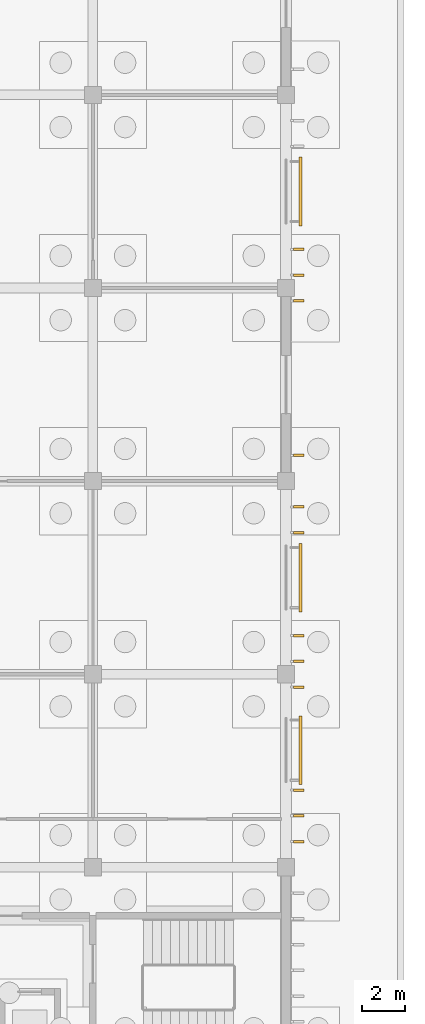
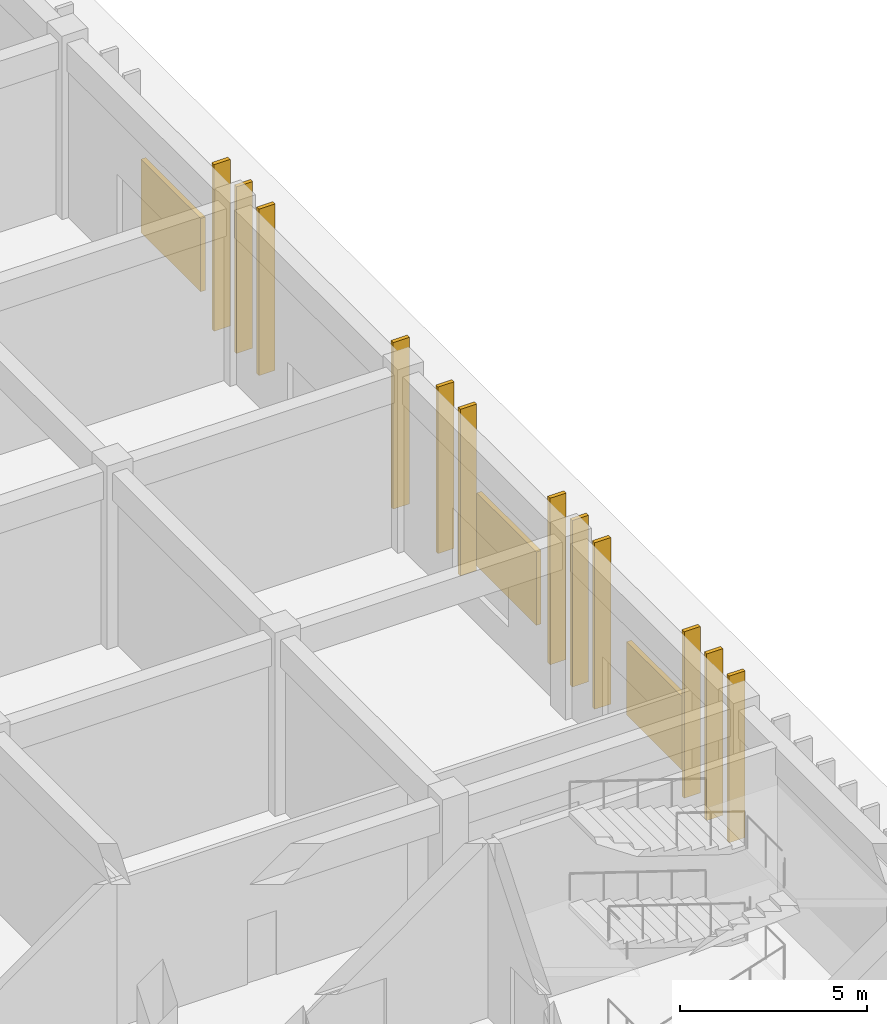
# One storey, part 191 of 198: 12 coverings, 3 shading devices.
"""IFC4 building model written with IfcOpenShell, lengths in metres."""

import ifcopenshell
import ifcopenshell.guid

model = None  # the IFC model being written
_history = None  # IfcOwnerHistory: only IFC2X3 demands one
_inside = {}  # id of a spatial element -> (the spatial element, [elements in it])
_under = {}  # id of a project, library or spatial element -> (it, [spatial elements below it])
_declared = {}  # id of a project -> (the project, [libraries it declares])
_typed = {}  # id of a type object -> (the type object, [elements of that type])
_made_of = {}  # id of a material, layer set ... -> (it, [elements and type objects made of it])


def new_model(schema):
    """Start an empty IFC model of exactly this schema.

    Asked for "IFC4X3", IfcOpenShell would pick the latest addendum, in which some entities
    have other attributes; the version numbers below select the first issue.
    IFC2X3 requires an IfcOwnerHistory on every rooted entity: one is made here for all.
    """
    global model, _history
    if schema == "IFC4X3":
        model = ifcopenshell.file(schema_version=(4, 3, 0, 0))
    else:
        model = ifcopenshell.file(schema=schema)
    _inside.clear()
    _under.clear()
    _declared.clear()
    _typed.clear()
    _made_of.clear()
    _history = None
    if model.schema == "IFC2X3":
        org = make("IfcOrganization", Name="unknown")
        user = make(
            "IfcPersonAndOrganization",
            ThePerson=make("IfcPerson", FamilyName="unknown"),
            TheOrganization=org,
        )
        app = make(
            "IfcApplication",
            ApplicationDeveloper=org,
            Version="unknown",
            ApplicationFullName="unknown",
            ApplicationIdentifier="unknown",
        )
        _history = make(
            "IfcOwnerHistory",
            OwningUser=user,
            OwningApplication=app,
            ChangeAction="ADDED",
            CreationDate=0,
        )
    return model


def make(cls, **values):
    """One entity of the class cls with the attributes given. An attribute that is None is left unset."""
    return model.create_entity(
        cls, **{name: value for name, value in values.items() if value is not None}
    )


def rooted(cls, **values):
    """An entity with a GlobalId (a new one), such as an element, a storey or a relation."""
    return make(cls, GlobalId=ifcopenshell.guid.new(), OwnerHistory=_history, **values)


def si_unit(unit_type, name, prefix=None):
    """IfcSIUnit, for example si_unit("LENGTHUNIT", "METRE", prefix="MILLI")."""
    return make("IfcSIUnit", UnitType=unit_type, Prefix=prefix, Name=name)


def assignment(units):
    """IfcUnitAssignment: the units of a project."""
    return None if units is None else make("IfcUnitAssignment", Units=units)


def point(xyz):
    """IfcCartesianPoint."""
    return None if xyz is None else make("IfcCartesianPoint", Coordinates=xyz)


def direction(xyz):
    """IfcDirection."""
    return None if xyz is None else make("IfcDirection", DirectionRatios=xyz)


def frame(location, z_axis=None, x_axis=None):
    """IfcAxis2Placement3D, a coordinate frame: its origin and axes. An axis left out is left unset."""
    return make(
        "IfcAxis2Placement3D",
        Location=point(location),
        Axis=direction(z_axis),
        RefDirection=direction(x_axis),
    )


def frame_2d(location, x_axis=None):
    """IfcAxis2Placement2D, a coordinate frame in the plane: its origin and x axis."""
    return make(
        "IfcAxis2Placement2D", Location=point(location), RefDirection=direction(x_axis)
    )


def origin():
    """The frame at (0, 0, 0) with its axes left unset."""
    return frame((0.0, 0.0, 0.0))


def origin_2d():
    """The frame at (0, 0) in the plane with its x axis left unset."""
    return frame_2d((0.0, 0.0))


def place(relative_to, where):
    """IfcLocalPlacement: puts the frame where relative to a parent placement (None: the world)."""
    return make(
        "IfcLocalPlacement", PlacementRelTo=relative_to, RelativePlacement=where
    )


def context(
    kind, dimensions, precision=None, world=None, true_north=None, identifier=None
):
    """IfcGeometricRepresentationContext, for example the 3D "Model" context."""
    return make(
        "IfcGeometricRepresentationContext",
        ContextIdentifier=identifier,
        ContextType=kind,
        CoordinateSpaceDimension=dimensions,
        Precision=precision,
        WorldCoordinateSystem=world,
        TrueNorth=true_north,
    )


def subcontext(parent, identifier, kind, view, scale=None):
    """IfcGeometricRepresentationSubContext, for example "Body" below "Model"."""
    return make(
        "IfcGeometricRepresentationSubContext",
        ContextIdentifier=identifier,
        ContextType=kind,
        ParentContext=parent,
        TargetScale=scale,
        TargetView=view,
    )


def project(units=None, contexts=None):
    """IfcProject with its units and contexts."""
    return rooted(
        "IfcProject",
        Name="project",
        RepresentationContexts=contexts,
        UnitsInContext=assignment(units),
    )


def spatial(cls, under=None, at=None, **own):
    """A site, building, storey or space (cls), placed at a placement, below another one or the project."""
    s = rooted(cls, ObjectPlacement=at, **own)
    if under is not None:
        _under.setdefault(under.id(), (under, []))[1].append(s)
    return s


def profile(cls, at=None, kind="AREA", **sizes):
    """A parametric profile (cls). Its sizes go by their IFC names, for example OverallWidth=200.0."""
    return make(cls, ProfileType=kind, Position=at, **sizes)


def rectangle(**sizes):
    """IfcRectangleProfileDef."""
    return profile("IfcRectangleProfileDef", **sizes)


def extrude(swept, where, along, depth):
    """IfcExtrudedAreaSolid: the profile swept, set in the frame where, extruded along a direction by depth."""
    return make(
        "IfcExtrudedAreaSolid",
        SweptArea=swept,
        Position=where,
        ExtrudedDirection=direction(along),
        Depth=depth,
    )


def shape(context_of_items, identifier, shape_type, items):
    """IfcShapeRepresentation: the items that make up one representation, for example the "Body"."""
    return make(
        "IfcShapeRepresentation",
        ContextOfItems=context_of_items,
        RepresentationIdentifier=identifier,
        RepresentationType=shape_type,
        Items=items,
    )


def material(Name=None, Category=None):
    """IfcMaterial."""
    return make("IfcMaterial", Name=Name, Category=Category)


def layer(
    of_material, thickness, ventilated=None, Name=None, Category=None, Priority=None
):
    """IfcMaterialLayer: one layer of a wall or slab, of a material (None: an air gap)."""
    return make(
        "IfcMaterialLayer",
        Material=of_material,
        LayerThickness=thickness,
        IsVentilated=ventilated,
        Name=Name,
        Category=Category,
        Priority=Priority,
    )


def layer_set(layers, Name=None):
    """IfcMaterialLayerSet."""
    return make("IfcMaterialLayerSet", MaterialLayers=layers, LayerSetName=Name)


def made_of(thing, what):
    """Note that an element or type object is made of a material, layer set ...; save() writes the relation."""
    if what is not None:
        _made_of.setdefault(what.id(), (what, []))[1].append(thing)
    return thing


def type_object(cls, material=None, **own):
    """A type object (cls), such as IfcWallType, which elements share."""
    return made_of(rooted(cls, **own), material)


def element(
    cls,
    number,
    at=None,
    inside=None,
    cuts=None,
    type_object=None,
    material=None,
    context=None,
    identifier="Body",
    shape_type=None,
    held_by="IfcProductDefinitionShape",
    body=None,
    shapes=None,
    **own,
):
    """One element of the class cls, such as IfcWall. Its Tag is "e" and its number.

    at: its placement. inside: the storey or other place that contains it. cuts: it is an
    opening in that element (IfcRelVoidsElement). A single representation is given by context,
    identifier, shape_type and body (its items); several are given by shapes. held_by: the class
    of the entity that holds the representations. save() writes the other relations.
    """
    e = rooted(cls, Tag="e%d" % number, ObjectPlacement=at, **own)
    if body is not None:
        shapes = [shape(context, identifier, shape_type, body)]
    if shapes is not None:
        e.Representation = make(held_by, Representations=shapes)
    if inside is not None:
        _inside.setdefault(inside.id(), (inside, []))[1].append(e)
    if cuts is not None:
        rooted(
            "IfcRelVoidsElement", RelatingBuildingElement=cuts, RelatedOpeningElement=e
        )
    if type_object is not None:
        _typed.setdefault(type_object.id(), (type_object, []))[1].append(e)
    return made_of(e, material)


def aggregate(whole, parts):
    """IfcRelAggregates: a whole, such as a stair, and the parts it consists of."""
    return rooted("IfcRelAggregates", RelatingObject=whole, RelatedObjects=parts)


def save(model, path):
    """Write the relations noted so far, then the file.

    IfcRelAggregates (storeys below a building ...), IfcRelContainedInSpatialStructure (elements
    in a storey), IfcRelDefinesByType, IfcRelAssociatesMaterial and IfcRelDeclares: one each for
    every whole, place, type object, material and project.
    """
    for whole, parts in _under.values():
        aggregate(whole, parts)
    for where, things in _inside.values():
        rooted(
            "IfcRelContainedInSpatialStructure",
            RelatedElements=things,
            RelatingStructure=where,
        )
    for kind, things in _typed.values():
        rooted("IfcRelDefinesByType", RelatedObjects=things, RelatingType=kind)
    for what, things in _made_of.values():
        rooted("IfcRelAssociatesMaterial", RelatedObjects=things, RelatingMaterial=what)
    for by, libraries in _declared.values():
        rooted("IfcRelDeclares", RelatingContext=by, RelatedDefinitions=libraries)
    model.write(path)


model = new_model("IFC4")

# Units and contexts
model_context = context("Model", 3, precision=1e-05, world=origin(), true_north=direction((0.0, 1.0)))
body_context = subcontext(model_context, "Body", "Model", "MODEL_VIEW")
ifc_project = project(units=[si_unit("LENGTHUNIT", "METRE"), si_unit("AREAUNIT", "SQUARE_METRE"), si_unit("VOLUMEUNIT", "CUBIC_METRE"), si_unit("PLANEANGLEUNIT", "RADIAN"), si_unit("MASSUNIT", "GRAM", prefix="KILO")], contexts=[model_context])

# Site, building, storey
site_placement = place(None, origin())
site = spatial("IfcSite", under=ifc_project, at=site_placement, CompositionType="ELEMENT")
building_placement = place(site_placement, origin())
building = spatial("IfcBuilding", under=site, at=building_placement, Name="Opaline Strait Convention Centre", CompositionType="ELEMENT")
storey_placement = place(building_placement, origin())
storey = spatial("IfcBuildingStorey", under=building, at=storey_placement, Name="L00", CompositionType="ELEMENT", Elevation=0.0)

# Shading devices
ifc_material = material(Name="Aluminium alloy 6063-T5", Category="aluminium")
ifc_layer_1 = layer(ifc_material, 0.14990234375)
ifc_layer_set_1 = layer_set([ifc_layer_1], Name="Aluminium alloy 6063-T5")
shading_device_type = type_object("IfcShadingDeviceType", Name="Storm louvre 3200 x 2400 aluminium", PredefinedType="JALOUSIE", material=ifc_layer_set_1)
for number, where, z_axis, x_axis, name in (
    (1, (360.675048828125, 104.46240234375, 0.75), (0.0, 0.0, 1.0), (1.0, 0.0, 0.0), "Storm louvre L00"),
    (2, (360.675048828125, 112.5, 0.75), (0.0, 0.0, 1.0), (1.0, 0.0, 0.0), "Storm louvre L00"),
    (3, (360.675048828125, 130.5, 0.75), (0.0, 0.0, 1.0), (1.0, 0.0, 0.0), "Storm louvre L00"),
):
    element("IfcShadingDevice", number, at=place(storey_placement, frame(where, z_axis=z_axis, x_axis=x_axis)), inside=storey, type_object=shading_device_type, Name=name, PredefinedType="JALOUSIE", context=body_context, shape_type="SweptSolid", body=[
        extrude(rectangle(XDim=0.14990234375, YDim=3.199951171875, at=origin_2d()), origin(), (0.0, 0.0, 1.0), 2.39990234375),
    ])

# Coverings
ifc_layer_2 = layer(ifc_material, 0.1201171875)
ifc_layer_set_2 = layer_set([ifc_layer_2], Name="Aluminium alloy 6063-T5")
covering_type = type_object("IfcCoveringType", Name="Storm louvre fin 120 x 500 aluminium", PredefinedType="CLADDING", material=ifc_layer_set_2)
for number, where, z_axis, x_axis, name in (
    (4, (360.60009765625, 100.199951171875, 0.25), (0.0, 0.0, 1.0), (1.0, 0.0, 0.0), "Storm louvre fin E L00"),
    (5, (360.60009765625, 101.39990234375, 0.25), (0.0, 0.0, 1.0), (1.0, 0.0, 0.0), "Storm louvre fin E L00"),
    (6, (360.60009765625, 102.60009765625, 0.25), (0.0, 0.0, 1.0), (1.0, 0.0, 0.0), "Storm louvre fin E L00"),
    (7, (360.60009765625, 107.39990234375, 0.25), (0.0, 0.0, 1.0), (1.0, 0.0, 0.0), "Storm louvre fin E L00"),
    (8, (360.60009765625, 108.60009765625, 0.25), (0.0, 0.0, 1.0), (1.0, 0.0, 0.0), "Storm louvre fin E L00"),
    (9, (360.60009765625, 109.800048828125, 0.25), (0.0, 0.0, 1.0), (1.0, 0.0, 0.0), "Storm louvre fin E L00"),
    (10, (360.60009765625, 114.60009765625, 0.25), (0.0, 0.0, 1.0), (1.0, 0.0, 0.0), "Storm louvre fin E L00"),
    (11, (360.60009765625, 115.800048828125, 0.25), (0.0, 0.0, 1.0), (1.0, 0.0, 0.0), "Storm louvre fin E L00"),
    (12, (360.60009765625, 118.199951171875, 0.25), (0.0, 0.0, 1.0), (1.0, 0.0, 0.0), "Storm louvre fin E L00"),
    (13, (360.60009765625, 125.39990234375, 0.25), (0.0, 0.0, 1.0), (1.0, 0.0, 0.0), "Storm louvre fin E L00"),
    (14, (360.60009765625, 126.60009765625, 0.25), (0.0, 0.0, 1.0), (1.0, 0.0, 0.0), "Storm louvre fin E L00"),
    (15, (360.60009765625, 127.800048828125, 0.25), (0.0, 0.0, 1.0), (1.0, 0.0, 0.0), "Storm louvre fin E L00"),
):
    element("IfcCovering", number, at=place(storey_placement, frame(where, z_axis=z_axis, x_axis=x_axis)), inside=storey, type_object=covering_type, Name=name, PredefinedType="CLADDING", context=body_context, shape_type="SweptSolid", body=[
        extrude(rectangle(XDim=0.5, YDim=0.1201171875, at=origin_2d()), origin(), (0.0, 0.0, 1.0), 5.449951171875),
    ])

save(model, "model.ifc")
